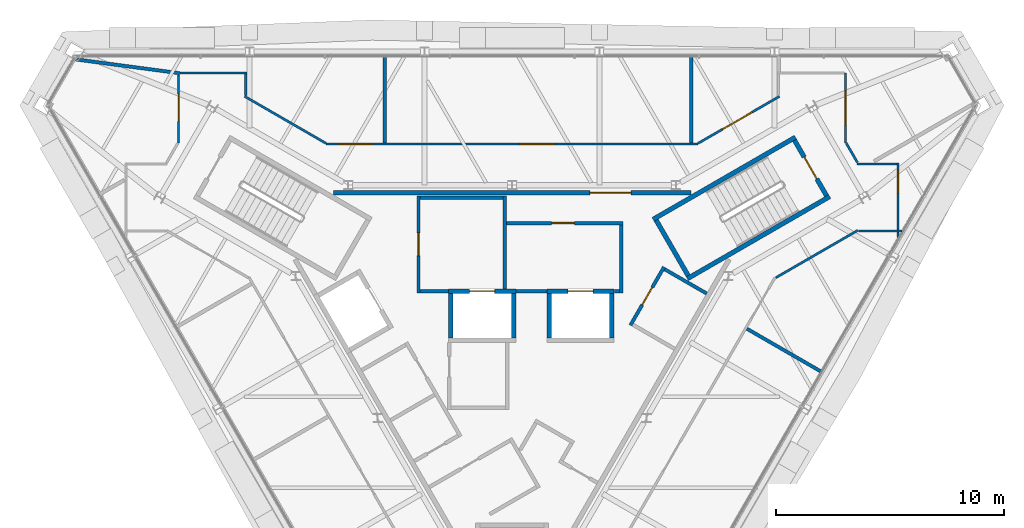
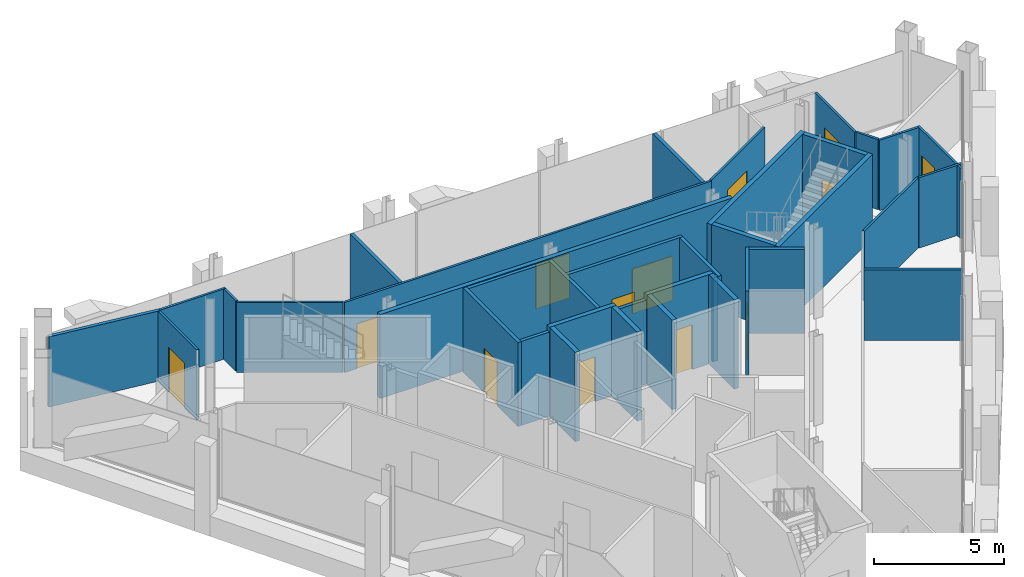
# One storey, part 10 of 13: 37 walls, 13 doors, 13 openings.
"""IFC4 building model written with IfcOpenShell, lengths in metres."""

from ifc_helpers import new_model, si_unit, direction, frame, frame_2d, origin, place, context, subcontext, project, spatial, rectangle, extrude, material, layer, layer_set, type_object, element, fill, save


model = new_model("IFC4")

# Units and contexts
model_context = context("Model", 3, precision=1e-05, world=origin(), true_north=direction((0.0, 1.0)))
body_context = subcontext(model_context, "Body", "Model", "MODEL_VIEW")
ifc_project = project(units=[si_unit("LENGTHUNIT", "METRE"), si_unit("AREAUNIT", "SQUARE_METRE"), si_unit("VOLUMEUNIT", "CUBIC_METRE"), si_unit("PLANEANGLEUNIT", "RADIAN"), si_unit("MASSUNIT", "GRAM", prefix="KILO")], contexts=[model_context])

# Site, building, storey
site_placement = place(None, origin())
site = spatial("IfcSite", under=ifc_project, at=site_placement, CompositionType="ELEMENT")
building_placement = place(site_placement, origin())
building = spatial("IfcBuilding", under=site, at=building_placement, Name="Verrane Prism Tower", CompositionType="ELEMENT")
storey_placement = place(building_placement, frame((0.0, 0.0, 325.199951171875)))
storey = spatial("IfcBuildingStorey", under=building, at=storey_placement, Name="L82", CompositionType="ELEMENT", Elevation=325.199951171875)

# Wall, opening, door
ifc_material_1 = material(Name="Gypsum board partition", Category="other")
ifc_layer_1 = layer(ifc_material_1, 0.199951171875)
ifc_layer_set_1 = layer_set([ifc_layer_1], Name="CW-200 core boundary wall 2 h")
wall_type_1 = type_object("IfcWallType", Name="CW-200 core boundary wall 2 h", PredefinedType="PARTITIONING", material=ifc_layer_set_1)
wall_1_placement = place(storey_placement, frame((7.8291015625, 6.4599609375, 0.0), z_axis=(0.0, 0.0, 1.0), x_axis=(-1.0, 0.0, 0.0)))
wall_1 = element("IfcWall", 1, at=wall_1_placement, inside=storey, type_object=wall_type_1, Name="Core boundary wall CW3-002", PredefinedType="PARTITIONING", context=body_context, shape_type="SweptSolid", body=[
    extrude(rectangle(XDim=15.658203125, YDim=0.199951171875, at=frame_2d((7.8291015625, 0.0))), origin(), (0.0, 0.0, 1.0), 3.949951171875),
])
opening_1_placement = place(wall_1_placement, frame((2.617919921875, 0.0, 0.0)))
opening_1 = element("IfcOpeningElement", 2, at=opening_1_placement, cuts=wall_1, Name="Opening D82506", PredefinedType="OPENING", context=body_context, shape_type="SweptSolid", body=[
    extrude(rectangle(XDim=1.800048828125, YDim=2.10009765625, at=frame_2d((0.89990234375, 1.050048828125))), frame((0.0, 0.10986328125, 0.0), z_axis=(0.0, -1.0, 0.0), x_axis=(1.0, 0.0, 0.0)), (0.0, 0.0, 1.0), 0.219970703125),
])
ifc_material_2 = material(Name="Timber veneered door leaf", Category="wood")
door_type_1 = type_object("IfcDoorType", Name="DR-1800x2100 FD60 double leaf lift lobby", OperationType="NOTDEFINED", PredefinedType="DOOR", material=ifc_material_2)
door_1_placement = place(opening_1_placement, origin())
door_1 = element("IfcDoor", 3, at=door_1_placement, inside=storey, type_object=door_type_1, Name="Lift lobby door D82506", OperationType="DOUBLE_DOOR_SINGLE_SWING", OverallHeight=2.10009765625, OverallWidth=1.800048828125, PredefinedType="DOOR", context=body_context, shape_type="SweptSolid", body=[
    extrude(rectangle(XDim=1.800048828125, YDim=2.10009765625, at=frame_2d((0.89990234375, 1.050048828125))), frame((0.0, 0.02490234375, 0.0), z_axis=(0.0, -1.0, 0.0), x_axis=(1.0, 0.0, 0.0)), (0.0, 0.0, 1.0), 0.050048828125),
])
fill(opening_1, door_1)

ifc_material_3 = material(Name="Concrete C40/50", Category="concrete")
ifc_layer_2 = layer(ifc_material_3, 0.199951171875)
ifc_layer_set_2 = layer_set([ifc_layer_2], Name="CW-200 stair core wall concrete C40/50 3 h")
wall_type_2 = type_object("IfcWallType", Name="CW-200 stair core wall concrete C40/50 3 h", PredefinedType="PARTITIONING", material=ifc_layer_set_2)
wall_2_placement = place(storey_placement, frame((13.777099609375, 6.337646484375, 0.0), z_axis=(0.0, 0.0, 1.0), x_axis=(-0.500049511043, 0.865996816683, 0.0)))
wall_2 = element("IfcWall", 4, at=wall_2_placement, inside=storey, type_object=wall_type_2, Name="Stair 1 enclosure wall", PredefinedType="PARTITIONING", context=body_context, shape_type="SweptSolid", body=[
    extrude(rectangle(XDim=2.800048828125, YDim=0.199951171875, at=frame_2d((1.39990234375, 0.0))), origin(), (0.0, 0.0, 1.0), 3.949951171875),
])
opening_2_placement = place(wall_2_placement, frame((0.849853515625, 0.0, 0.0)))
opening_2 = element("IfcOpeningElement", 5, at=opening_2_placement, cuts=wall_2, Name="Opening D82500", PredefinedType="OPENING", context=body_context, shape_type="SweptSolid", body=[
    extrude(rectangle(XDim=1.10009765625, YDim=2.10009765625, at=frame_2d((0.550048828125, 1.050048828125))), frame((0.0, 0.10986328125, 0.0), z_axis=(0.0, -1.0, 0.0), x_axis=(1.0, 0.0, 0.0)), (0.0, 0.0, 1.0), 0.219970703125),
])
ifc_material_4 = material(Name="Timber veneered door leaf", Category="wood")
door_type_2 = type_object("IfcDoorType", Name="DR-1100x2100 FD90 single leaf stair", OperationType="NOTDEFINED", PredefinedType="DOOR", material=ifc_material_4)
door_2_placement = place(opening_2_placement, origin())
door_2 = element("IfcDoor", 6, at=door_2_placement, inside=storey, type_object=door_type_2, Name="Stair 1 door", OperationType="SINGLE_SWING_LEFT", OverallHeight=2.10009765625, OverallWidth=1.10009765625, PredefinedType="DOOR", context=body_context, shape_type="SweptSolid", body=[
    extrude(rectangle(XDim=1.10009765625, YDim=2.10009765625, at=frame_2d((0.550048828125, 1.050048828125))), frame((0.0, 0.02490234375, 0.0), z_axis=(0.0, -1.0, 0.0), x_axis=(1.0, 0.0, 0.0)), (0.0, 0.0, 1.0), 0.050048828125),
])
fill(opening_2, door_2)

# Walls
for number, where, z_axis, x_axis, name in (
    (7, (6.17822265625, 5.299072265625, 0.0), (0.0, 0.0, 1.0), (0.866033125095, 0.499986626058, 0.0), "Stair 1 enclosure wall"),
    (8, (7.67822265625, 2.700927734375, 0.0), (0.0, 0.0, 1.0), (0.866018442252, 0.500012057535, 0.0), "Stair 1 enclosure wall"),
):
    element("IfcWall", number, at=place(storey_placement, frame(where, z_axis=z_axis, x_axis=x_axis)), inside=storey, type_object=wall_type_2, Name=name, PredefinedType="PARTITIONING", context=body_context, shape_type="SweptSolid", body=[
        extrude(rectangle(XDim=7.199951171875, YDim=0.199951171875, at=frame_2d((3.60009765625, 0.0))), origin(), (0.0, 0.0, 1.0), 3.949951171875),
    ])
wall_3_placement = place(storey_placement, frame((7.71484375, 2.837646484375, 0.0), z_axis=(0.0, 0.0, 1.0), x_axis=(-0.500049511043, 0.865996816683, 0.0)))
element("IfcWall", 9, at=wall_3_placement, inside=storey, type_object=wall_type_2, Name="Stair 1 enclosure wall", PredefinedType="PARTITIONING", context=body_context, shape_type="SweptSolid", body=[
    extrude(rectangle(XDim=2.800048828125, YDim=0.199951171875, at=frame_2d((1.39990234375, 0.0))), origin(), (0.0, 0.0, 1.0), 3.949951171875),
])

# Wall, opening, door
ifc_material_5 = material(Name="Gypsum board shaft wall assembly", Category="other")
ifc_layer_3 = layer(ifc_material_5, 0.199951171875)
ifc_layer_set_3 = layer_set([ifc_layer_3], Name="HW-200 lift shaft wall 2 h")
wall_type_3 = type_object("IfcWallType", Name="HW-200 lift shaft wall 2 h", PredefinedType="PARTITIONING", material=ifc_layer_set_3)
wall_4_placement = place(storey_placement, frame((-2.784912109375, 2.14990234375, 0.0), z_axis=(0.0, 0.0, 1.0), x_axis=(1.0, 0.0, 0.0)))
wall_4 = element("IfcWall", 10, at=wall_4_placement, inside=storey, type_object=wall_type_3, Name="Lift shaft wall", PredefinedType="PARTITIONING", context=body_context, shape_type="SweptSolid", body=[
    extrude(rectangle(XDim=2.949951171875, YDim=0.199951171875, at=frame_2d((1.47509765625, 0.0))), origin(), (0.0, 0.0, 1.0), 4.199951171875),
])
opening_3_placement = place(wall_4_placement, frame((0.925048828125, 0.0, 0.0)))
opening_3 = element("IfcOpeningElement", 11, at=opening_3_placement, cuts=wall_4, Name="Opening D82503", PredefinedType="OPENING", context=body_context, shape_type="SweptSolid", body=[
    extrude(rectangle(XDim=1.10009765625, YDim=2.10009765625, at=frame_2d((0.550048828125, 1.050048828125))), frame((0.0, 0.10986328125, 0.0), z_axis=(0.0, -1.0, 0.0), x_axis=(1.0, 0.0, 0.0)), (0.0, 0.0, 1.0), 0.219970703125),
])
ifc_material_6 = material(Name="Stainless steel sliding landing door", Category="steel")
door_type_3 = type_object("IfcDoorType", Name="LD-1100x2100 lift landing door FD90 sliding", OperationType="NOTDEFINED", PredefinedType="DOOR", material=ifc_material_6)
door_3_placement = place(opening_3_placement, origin())
door_3 = element("IfcDoor", 12, at=door_3_placement, inside=storey, type_object=door_type_3, Name="Fire service lift 1 landing door", OperationType="SLIDING_TO_LEFT", OverallHeight=2.10009765625, OverallWidth=1.10009765625, PredefinedType="DOOR", context=body_context, shape_type="SweptSolid", body=[
    extrude(rectangle(XDim=1.10009765625, YDim=2.10009765625, at=frame_2d((0.550048828125, 1.050048828125))), frame((0.0, 0.02490234375, 0.0), z_axis=(0.0, -1.0, 0.0), x_axis=(1.0, 0.0, 0.0)), (0.0, 0.0, 1.0), 0.050048828125),
])
fill(opening_3, door_3)

wall_5_placement = place(storey_placement, frame((1.52490234375, 2.14990234375, 0.0), z_axis=(0.0, 0.0, 1.0), x_axis=(1.0, 0.0, 0.0)))
wall_5 = element("IfcWall", 13, at=wall_5_placement, inside=storey, type_object=wall_type_3, Name="Lift shaft wall", PredefinedType="PARTITIONING", context=body_context, shape_type="SweptSolid", body=[
    extrude(rectangle(XDim=2.9501953125, YDim=0.199951171875, at=frame_2d((1.47509765625, 0.0))), origin(), (0.0, 0.0, 1.0), 4.199951171875),
])
opening_4_placement = place(wall_5_placement, frame((0.925048828125, 0.0, 0.0)))
opening_4 = element("IfcOpeningElement", 14, at=opening_4_placement, cuts=wall_5, Name="Opening D82504", PredefinedType="OPENING", context=body_context, shape_type="SweptSolid", body=[
    extrude(rectangle(XDim=1.10009765625, YDim=2.10009765625, at=frame_2d((0.550048828125, 1.050048828125))), frame((0.0, 0.10986328125, 0.0), z_axis=(0.0, -1.0, 0.0), x_axis=(1.0, 0.0, 0.0)), (0.0, 0.0, 1.0), 0.219970703125),
])
door_4_placement = place(opening_4_placement, origin())
door_4 = element("IfcDoor", 15, at=door_4_placement, inside=storey, type_object=door_type_3, Name="Fire service lift 2 landing door", OperationType="SLIDING_TO_RIGHT", OverallHeight=2.10009765625, OverallWidth=1.10009765625, PredefinedType="DOOR", context=body_context, shape_type="SweptSolid", body=[
    extrude(rectangle(XDim=1.10009765625, YDim=2.10009765625, at=frame_2d((0.550048828125, 1.050048828125))), frame((0.0, 0.02490234375, 0.0), z_axis=(0.0, -1.0, 0.0), x_axis=(1.0, 0.0, 0.0)), (0.0, 0.0, 1.0), 0.050048828125),
])
fill(opening_4, door_4)

# Walls
for number, where, z_axis, x_axis, name in (
    (16, (4.375, 0.10009765625, 0.0), (0.0, 0.0, 1.0), (0.0, 1.0, 0.0), "Lift shaft wall"),
    (17, (1.625, 0.10009765625, 0.0), (0.0, 0.0, 1.0), (0.0, 1.0, 0.0), "Lift shaft wall"),
    (18, (0.06494140625, 0.10009765625, 0.0), (0.0, 0.0, 1.0), (0.0, 1.0, 0.0), "Lift shaft wall"),
    (19, (-2.68505859375, 0.10009765625, 0.0), (0.0, 0.0, 1.0), (0.0, 1.0, 0.0), "Lift shaft wall"),
):
    element("IfcWall", number, at=place(storey_placement, frame(where, z_axis=z_axis, x_axis=x_axis)), inside=storey, type_object=wall_type_3, Name=name, PredefinedType="PARTITIONING", context=body_context, shape_type="SweptSolid", body=[
        extrude(rectangle(XDim=1.949951171875, YDim=0.199951171875, at=frame_2d((0.97509765625, 0.0))), origin(), (0.0, 0.0, 1.0), 4.199951171875),
    ])

# Wall, opening, door
ifc_material_7 = material(Name="Gypsum board partition", Category="other")
ifc_layer_4 = layer(ifc_material_7, 0.14990234375)
ifc_layer_set_4 = layer_set([ifc_layer_4], Name="LF-150 firefighting lobby wall 1 h")
wall_type_4 = type_object("IfcWallType", Name="LF-150 firefighting lobby wall 1 h", PredefinedType="PARTITIONING", material=ifc_layer_set_4)
wall_6_placement = place(storey_placement, frame((-4.10009765625, 2.0849609375, 0.0), z_axis=(0.0, 0.0, 1.0), x_axis=(0.0, 1.0, 0.0)))
wall_6 = element("IfcWall", 20, at=wall_6_placement, inside=storey, type_object=wall_type_4, Name="Firefighting lobby wall LF1-001", PredefinedType="PARTITIONING", context=body_context, shape_type="SweptSolid", body=[
    extrude(rectangle(XDim=4.22998046875, YDim=0.14990234375, at=frame_2d((2.114990234375, 0.0))), origin(), (0.0, 0.0, 1.0), 3.949951171875),
])
opening_5_placement = place(wall_6_placement, frame((1.625, 0.0, 0.0)))
opening_5 = element("IfcOpeningElement", 21, at=opening_5_placement, cuts=wall_6, Name="Opening D82509", PredefinedType="OPENING", context=body_context, shape_type="SweptSolid", body=[
    extrude(rectangle(XDim=1.0, YDim=2.10009765625, at=frame_2d((0.5, 1.050048828125))), frame((0.0, 0.0849609375, 0.0), z_axis=(0.0, -1.0, 0.0), x_axis=(1.0, 0.0, 0.0)), (0.0, 0.0, 1.0), 0.169921875),
])
ifc_material_8 = material(Name="Timber veneered door leaf", Category="wood")
door_type_4 = type_object("IfcDoorType", Name="DR-1000x2100 FD60 single leaf firefighting lobby", OperationType="NOTDEFINED", PredefinedType="DOOR", material=ifc_material_8)
door_5_placement = place(opening_5_placement, origin())
door_5 = element("IfcDoor", 22, at=door_5_placement, inside=storey, type_object=door_type_4, Name="Firefighting lobby door D82509", OperationType="SINGLE_SWING_LEFT", OverallHeight=2.10009765625, OverallWidth=1.0, PredefinedType="DOOR", context=body_context, shape_type="SweptSolid", body=[
    extrude(rectangle(XDim=1.0, YDim=2.10009765625, at=frame_2d((0.5, 1.050048828125))), frame((0.0, 0.02490234375, 0.0), z_axis=(0.0, -1.0, 0.0), x_axis=(1.0, 0.0, 0.0)), (0.0, 0.0, 1.0), 0.050048828125),
])
fill(opening_5, door_5)

# Walls
wall_7_placement = place(storey_placement, frame((-4.02490234375, 2.159912109375, 0.0), z_axis=(0.0, 0.0, 1.0), x_axis=(1.0, 0.0, 0.0)))
element("IfcWall", 23, at=wall_7_placement, inside=storey, type_object=wall_type_4, Name="Firefighting lobby wall LF1-002", PredefinedType="PARTITIONING", context=body_context, shape_type="SweptSolid", body=[
    extrude(rectangle(XDim=1.23779296875, YDim=0.14990234375, at=frame_2d((0.618896484375, 0.0))), origin(), (0.0, 0.0, 1.0), 3.949951171875),
])
wall_8_placement = place(storey_placement, frame((-4.02490234375, 6.239990234375, 0.0), z_axis=(0.0, 0.0, 1.0), x_axis=(1.0, 0.0, 0.0)))
element("IfcWall", 24, at=wall_8_placement, inside=storey, type_object=wall_type_4, Name="Firefighting lobby wall LF1-003", PredefinedType="PARTITIONING", context=body_context, shape_type="SweptSolid", body=[
    extrude(rectangle(XDim=3.6298828125, YDim=0.14990234375, at=frame_2d((1.81494140625, 0.0))), origin(), (0.0, 0.0, 1.0), 3.949951171875),
])
wall_9_placement = place(storey_placement, frame((-0.320068359375, 2.251953125, 0.0), z_axis=(0.0, 0.0, 1.0), x_axis=(0.0, 1.0, 0.0)))
element("IfcWall", 25, at=wall_9_placement, inside=storey, type_object=wall_type_4, Name="Firefighting lobby wall LF1-004", PredefinedType="PARTITIONING", context=body_context, shape_type="SweptSolid", body=[
    extrude(rectangle(XDim=4.06298828125, YDim=0.14990234375, at=frame_2d((2.031494140625, 0.0))), origin(), (0.0, 0.0, 1.0), 3.949951171875),
])

# Wall, opening, door
wall_10_placement = place(storey_placement, frame((-0.2451171875, 5.139892578125, 0.0), z_axis=(0.0, 0.0, 1.0), x_axis=(1.0, 0.0, 0.0)))
wall_10 = element("IfcWall", 26, at=wall_10_placement, inside=storey, type_object=wall_type_4, Name="Firefighting lobby wall LF1-005", PredefinedType="PARTITIONING", context=body_context, shape_type="SweptSolid", body=[
    extrude(rectangle(XDim=5.110107421875, YDim=0.14990234375, at=frame_2d((2.55517578125, 0.0))), origin(), (0.0, 0.0, 1.0), 3.949951171875),
])
opening_6_placement = place(wall_10_placement, frame((1.97509765625, 0.0, 0.0)))
opening_6 = element("IfcOpeningElement", 27, at=opening_6_placement, cuts=wall_10, Name="Opening D82512", PredefinedType="OPENING", context=body_context, shape_type="SweptSolid", body=[
    extrude(rectangle(XDim=1.0, YDim=2.10009765625, at=frame_2d((0.5, 1.050048828125))), frame((0.0, 0.0849609375, 0.0), z_axis=(0.0, -1.0, 0.0), x_axis=(1.0, 0.0, 0.0)), (0.0, 0.0, 1.0), 0.169921875),
])
door_6_placement = place(opening_6_placement, origin())
door_6 = element("IfcDoor", 28, at=door_6_placement, inside=storey, type_object=door_type_4, Name="Firefighting lobby door D82512", OperationType="SINGLE_SWING_RIGHT", OverallHeight=2.10009765625, OverallWidth=1.0, PredefinedType="DOOR", context=body_context, shape_type="SweptSolid", body=[
    extrude(rectangle(XDim=1.0, YDim=2.10009765625, at=frame_2d((0.5, 1.050048828125))), frame((0.0, 0.02490234375, 0.0), z_axis=(0.0, -1.0, 0.0), x_axis=(1.0, 0.0, 0.0)), (0.0, 0.0, 1.0), 0.050048828125),
])
fill(opening_6, door_6)

# Walls
wall_11_placement = place(storey_placement, frame((0.1669921875, 2.159912109375, 0.0), z_axis=(0.0, 0.0, 1.0), x_axis=(1.0, 0.0, 0.0)))
element("IfcWall", 29, at=wall_11_placement, inside=storey, type_object=wall_type_4, Name="Firefighting lobby wall LF1-006", PredefinedType="PARTITIONING", context=body_context, shape_type="SweptSolid", body=[
    extrude(rectangle(XDim=1.35595703125, YDim=0.14990234375, at=frame_2d((0.677978515625, 0.0))), origin(), (0.0, 0.0, 1.0), 3.949951171875),
])
wall_12_placement = place(storey_placement, frame((4.47705078125, 2.159912109375, 0.0), z_axis=(0.0, 0.0, 1.0), x_axis=(1.0, 0.0, 0.0)))
element("IfcWall", 30, at=wall_12_placement, inside=storey, type_object=wall_type_4, Name="Firefighting lobby wall LF1-007", PredefinedType="PARTITIONING", context=body_context, shape_type="SweptSolid", body=[
    extrude(rectangle(XDim=0.238037109375, YDim=0.14990234375, at=frame_2d((0.119140625, 0.0))), origin(), (0.0, 0.0, 1.0), 3.949951171875),
])
wall_13_placement = place(storey_placement, frame((4.7900390625, 2.0849609375, 0.0), z_axis=(0.0, 0.0, 1.0), x_axis=(0.0, 1.0, 0.0)))
element("IfcWall", 31, at=wall_13_placement, inside=storey, type_object=wall_type_4, Name="Firefighting lobby wall LF1-008", PredefinedType="PARTITIONING", context=body_context, shape_type="SweptSolid", body=[
    extrude(rectangle(XDim=2.97998046875, YDim=0.14990234375, at=frame_2d((1.489990234375, 0.0))), origin(), (0.0, 0.0, 1.0), 3.949951171875),
])

# Wall, opening, door
ifc_material_9 = material(Name="Gypsum board partition", Category="other")
ifc_layer_5 = layer(ifc_material_9, 0.10009765625)
ifc_layer_set_5 = layer_set([ifc_layer_5], Name="PW-100 crown corridor wall 1 h")
wall_type_5 = type_object("IfcWallType", Name="PW-100 crown corridor wall 1 h", PredefinedType="PARTITIONING", material=ifc_layer_set_5)
wall_14_placement = place(storey_placement, frame((-14.60888671875, 8.64599609375, 0.0), z_axis=(0.0, 0.0, 1.0), x_axis=(0.0, 1.0, 0.0)))
wall_14 = element("IfcWall", 32, at=wall_14_placement, inside=storey, type_object=wall_type_5, Name="Corridor wall 008", PredefinedType="PARTITIONING", context=body_context, shape_type="SweptSolid", body=[
    extrude(rectangle(XDim=2.98291015625, YDim=0.10009765625, at=frame_2d((1.491455078125, 0.0))), origin(), (0.0, 0.0, 1.0), 3.297119140625),
])
opening_7_placement = place(wall_14_placement, frame((0.949951171875, 0.0, 0.0)))
opening_7 = element("IfcOpeningElement", 33, at=opening_7_placement, cuts=wall_14, Name="Opening D82004", PredefinedType="OPENING", context=body_context, shape_type="SweptSolid", body=[
    extrude(rectangle(XDim=1.199951171875, YDim=2.10009765625, at=frame_2d((0.60009765625, 1.050048828125))), frame((0.0, 0.06005859375, 0.0), z_axis=(0.0, -1.0, 0.0), x_axis=(1.0, 0.0, 0.0)), (0.0, 0.0, 1.0), 0.1201171875),
])
ifc_material_10 = material(Name="Timber veneered door leaf", Category="wood")
door_type_5 = type_object("IfcDoorType", Name="DR-1200x2100 FD60 single leaf unit", OperationType="NOTDEFINED", PredefinedType="DOOR", material=ifc_material_10)
door_7_placement = place(opening_7_placement, origin())
door_7 = element("IfcDoor", 34, at=door_7_placement, inside=storey, type_object=door_type_5, Name="Building Maintenance Unit Room door", OperationType="SINGLE_SWING_RIGHT", OverallHeight=2.10009765625, OverallWidth=1.199951171875, PredefinedType="DOOR", context=body_context, shape_type="SweptSolid", body=[
    extrude(rectangle(XDim=1.199951171875, YDim=2.10009765625, at=frame_2d((0.60009765625, 1.050048828125))), frame((0.0, 0.02490234375, 0.0), z_axis=(0.0, -1.0, 0.0), x_axis=(1.0, 0.0, 0.0)), (0.0, 0.0, 1.0), 0.050048828125),
])
fill(opening_7, door_7)

# Walls
wall_15_placement = place(storey_placement, frame((-14.549072265625, 11.708984375, 0.0), z_axis=(0.0, 0.0, 1.0), x_axis=(1.0, 0.0, 0.0)))
element("IfcWall", 35, at=wall_15_placement, inside=storey, type_object=wall_type_5, Name="Corridor wall 009", PredefinedType="PARTITIONING", context=body_context, shape_type="SweptSolid", body=[
    extrude(rectangle(XDim=2.927978515625, YDim=0.10009765625, at=frame_2d((1.4638671875, 0.0))), origin(), (0.0, 0.0, 1.0), 3.297119140625),
])
wall_16_placement = place(storey_placement, frame((-11.6708984375, 10.73388671875, 0.0), z_axis=(0.0, 0.0, 1.0), x_axis=(0.0, 1.0, 0.0)))
element("IfcWall", 36, at=wall_16_placement, inside=storey, type_object=wall_type_5, Name="Corridor wall 011", PredefinedType="PARTITIONING", context=body_context, shape_type="SweptSolid", body=[
    extrude(rectangle(XDim=0.925048828125, YDim=0.10009765625, at=frame_2d((0.46240234375, 0.0))), origin(), (0.0, 0.0, 1.0), 3.297119140625),
])
wall_17_placement = place(storey_placement, frame((-11.71435546875, 10.68896484375, 0.0), z_axis=(0.0, 0.0, 1.0), x_axis=(0.866029215606, -0.499993397673, 0.0)))
element("IfcWall", 37, at=wall_17_placement, inside=storey, type_object=wall_type_5, Name="Corridor wall 012", PredefinedType="PARTITIONING", context=body_context, shape_type="SweptSolid", body=[
    extrude(rectangle(XDim=4.10791015625, YDim=0.10009765625, at=frame_2d((2.053955078125, 0.0))), origin(), (0.0, 0.0, 1.0), 3.297119140625),
])

# Wall, openings, doors
wall_18_placement = place(storey_placement, frame((-8.14599609375, 8.60009765625, 0.0), z_axis=(0.0, 0.0, 1.0), x_axis=(1.0, 0.0, 0.0)))
wall_18 = element("IfcWall", 38, at=wall_18_placement, inside=storey, type_object=wall_type_5, Name="Corridor wall 015", PredefinedType="PARTITIONING", context=body_context, shape_type="SweptSolid", body=[
    extrude(rectangle(XDim=16.2919921875, YDim=0.10009765625, at=frame_2d((8.14599609375, 0.0))), origin(), (0.0, 0.0, 1.0), 3.297119140625),
])
opening_8_placement = place(wall_18_placement, frame((8.510986328125, 0.0, 0.0)))
opening_8 = element("IfcOpeningElement", 39, at=opening_8_placement, cuts=wall_18, Name="Opening D82002", PredefinedType="OPENING", context=body_context, shape_type="SweptSolid", body=[
    extrude(rectangle(XDim=1.5, YDim=2.10009765625, at=frame_2d((0.75, 1.050048828125))), frame((0.0, 0.06005859375, 0.0), z_axis=(0.0, -1.0, 0.0), x_axis=(1.0, 0.0, 0.0)), (0.0, 0.0, 1.0), 0.1201171875),
])
opening_9_placement = place(wall_18_placement, frame((0.550048828125, 0.0, 0.0)))
opening_9 = element("IfcOpeningElement", 40, at=opening_9_placement, cuts=wall_18, Name="Opening D82003", PredefinedType="OPENING", context=body_context, shape_type="SweptSolid", body=[
    extrude(rectangle(XDim=1.5, YDim=2.10009765625, at=frame_2d((0.75, 1.050048828125))), frame((0.0, 0.06005859375, 0.0), z_axis=(0.0, -1.0, 0.0), x_axis=(1.0, 0.0, 0.0)), (0.0, 0.0, 1.0), 0.1201171875),
])
ifc_material_11 = material(Name="Timber veneered door leaf", Category="wood")
door_type_6 = type_object("IfcDoorType", Name="DR-1500x2100 FD60 double leaf unit", OperationType="NOTDEFINED", PredefinedType="DOOR", material=ifc_material_11)
door_8_placement = place(opening_8_placement, origin())
door_8 = element("IfcDoor", 41, at=door_8_placement, inside=storey, type_object=door_type_6, Name="Mechanical Plant Room door", OperationType="DOUBLE_DOOR_SINGLE_SWING", OverallHeight=2.10009765625, OverallWidth=1.5, PredefinedType="DOOR", context=body_context, shape_type="SweptSolid", body=[
    extrude(rectangle(XDim=1.5, YDim=2.10009765625, at=frame_2d((0.75, 1.050048828125))), frame((0.0, 0.02490234375, 0.0), z_axis=(0.0, -1.0, 0.0), x_axis=(1.0, 0.0, 0.0)), (0.0, 0.0, 1.0), 0.050048828125),
])
fill(opening_8, door_8)
door_9_placement = place(opening_9_placement, origin())
door_9 = element("IfcDoor", 42, at=door_9_placement, inside=storey, type_object=door_type_6, Name="Mechanical Plant Room door", OperationType="DOUBLE_DOOR_SINGLE_SWING", OverallHeight=2.10009765625, OverallWidth=1.5, PredefinedType="DOOR", context=body_context, shape_type="SweptSolid", body=[
    extrude(rectangle(XDim=1.5, YDim=2.10009765625, at=frame_2d((0.75, 1.050048828125))), frame((0.0, 0.02490234375, 0.0), z_axis=(0.0, -1.0, 0.0), x_axis=(1.0, 0.0, 0.0)), (0.0, 0.0, 1.0), 0.050048828125),
])
fill(opening_9, door_9)

# Wall, opening, door
wall_19_placement = place(storey_placement, frame((8.15673828125, 8.635009765625, 0.0), z_axis=(0.0, 0.0, 1.0), x_axis=(0.866029215606, 0.499993397673, 0.0)))
wall_19 = element("IfcWall", 43, at=wall_19_placement, inside=storey, type_object=wall_type_5, Name="Corridor wall 026", PredefinedType="PARTITIONING", context=body_context, shape_type="SweptSolid", body=[
    extrude(rectangle(XDim=4.10791015625, YDim=0.10009765625, at=frame_2d((2.053955078125, 0.0))), origin(), (0.0, 0.0, 1.0), 3.297119140625),
])
opening_10_placement = place(wall_19_placement, frame((1.22998046875, 0.0, 0.0)))
opening_10 = element("IfcOpeningElement", 44, at=opening_10_placement, cuts=wall_19, Name="Opening D82013", PredefinedType="OPENING", context=body_context, shape_type="SweptSolid", body=[
    extrude(rectangle(XDim=1.5, YDim=2.10009765625, at=frame_2d((0.75, 1.050048828125))), frame((0.0, 0.06005859375, 0.0), z_axis=(0.0, -1.0, 0.0), x_axis=(1.0, 0.0, 0.0)), (0.0, 0.0, 1.0), 0.1201171875),
])
door_10_placement = place(opening_10_placement, origin())
door_10 = element("IfcDoor", 45, at=door_10_placement, inside=storey, type_object=door_type_6, Name="Mechanical Plant Room door", OperationType="DOUBLE_DOOR_SINGLE_SWING", OverallHeight=2.10009765625, OverallWidth=1.5, PredefinedType="DOOR", context=body_context, shape_type="SweptSolid", body=[
    extrude(rectangle(XDim=1.5, YDim=2.10009765625, at=frame_2d((0.75, 1.050048828125))), frame((0.0, 0.02490234375, 0.0), z_axis=(0.0, -1.0, 0.0), x_axis=(1.0, 0.0, 0.0)), (0.0, 0.0, 1.0), 0.050048828125),
])
fill(opening_10, door_10)

# Wall
wall_20_placement = place(storey_placement, frame((11.556640625, 2.74609375, 0.0), z_axis=(0.0, 0.0, 1.0), x_axis=(0.866005840187, 0.500033883614, 0.0)))
element("IfcWall", 46, at=wall_20_placement, inside=storey, type_object=wall_type_5, Name="Corridor wall 028", PredefinedType="PARTITIONING", context=body_context, shape_type="SweptSolid", body=[
    extrude(rectangle(XDim=4.139404296875, YDim=0.10009765625, at=frame_2d((2.06982421875, 0.0))), origin(), (0.0, 0.0, 1.0), 3.297119140625),
])

# Wall, opening, door
wall_21_placement = place(storey_placement, frame((14.60888671875, 11.708984375, 0.0), z_axis=(0.0, 0.0, 1.0), x_axis=(0.0, -1.0, 0.0)))
wall_21 = element("IfcWall", 47, at=wall_21_placement, inside=storey, type_object=wall_type_5, Name="Corridor wall 032", PredefinedType="PARTITIONING", context=body_context, shape_type="SweptSolid", body=[
    extrude(rectangle(XDim=3.06298828125, YDim=0.10009765625, at=frame_2d((1.531494140625, 0.0))), origin(), (0.0, 0.0, 1.0), 3.297119140625),
])
opening_11_placement = place(wall_21_placement, frame((0.762939453125, 0.0, 0.0)))
opening_11 = element("IfcOpeningElement", 48, at=opening_11_placement, cuts=wall_21, Name="Opening D82001", PredefinedType="OPENING", context=body_context, shape_type="SweptSolid", body=[
    extrude(rectangle(XDim=1.5, YDim=2.10009765625, at=frame_2d((0.75, 1.050048828125))), frame((0.0, 0.06005859375, 0.0), z_axis=(0.0, -1.0, 0.0), x_axis=(1.0, 0.0, 0.0)), (0.0, 0.0, 1.0), 0.1201171875),
])
door_11_placement = place(opening_11_placement, origin())
door_11 = element("IfcDoor", 49, at=door_11_placement, inside=storey, type_object=door_type_6, Name="Mechanical Plant Room door", OperationType="DOUBLE_DOOR_SINGLE_SWING", OverallHeight=2.10009765625, OverallWidth=1.5, PredefinedType="DOOR", context=body_context, shape_type="SweptSolid", body=[
    extrude(rectangle(XDim=1.5, YDim=2.10009765625, at=frame_2d((0.75, 1.050048828125))), frame((0.0, 0.02490234375, 0.0), z_axis=(0.0, -1.0, 0.0), x_axis=(1.0, 0.0, 0.0)), (0.0, 0.0, 1.0), 0.050048828125),
])
fill(opening_11, door_11)

# Walls
wall_22_placement = place(storey_placement, frame((14.64404296875, 8.63525390625, 0.0), z_axis=(0.0, 0.0, 1.0), x_axis=(0.499823463829, -0.866127303003, 0.0)))
element("IfcWall", 50, at=wall_22_placement, inside=storey, type_object=wall_type_5, Name="Corridor wall 033", PredefinedType="PARTITIONING", context=body_context, shape_type="SweptSolid", body=[
    extrude(rectangle(XDim=0.976318359375, YDim=0.10009765625, at=frame_2d((0.48828125, 0.0))), origin(), (0.0, 0.0, 1.0), 3.297119140625),
])
wall_23_placement = place(storey_placement, frame((15.16796875, 4.791015625, 0.0), z_axis=(0.0, 0.0, 1.0), x_axis=(1.0, 0.0, 0.0)))
element("IfcWall", 51, at=wall_23_placement, inside=storey, type_object=wall_type_5, Name="Corridor wall 034", PredefinedType="PARTITIONING", context=body_context, shape_type="SweptSolid", body=[
    extrude(rectangle(XDim=1.926025390625, YDim=0.10009765625, at=frame_2d((0.962890625, 0.0))), origin(), (0.0, 0.0, 1.0), 3.297119140625),
])
wall_24_placement = place(storey_placement, frame((15.116943359375, 7.72900390625, 0.0), z_axis=(0.0, 0.0, 1.0), x_axis=(1.0, 0.0, 0.0)))
element("IfcWall", 52, at=wall_24_placement, inside=storey, type_object=wall_type_5, Name="Corridor wall 035", PredefinedType="PARTITIONING", context=body_context, shape_type="SweptSolid", body=[
    extrude(rectangle(XDim=1.741943359375, YDim=0.10009765625, at=frame_2d((0.87109375, 0.0))), origin(), (0.0, 0.0, 1.0), 3.297119140625),
])

# Wall, opening, door
wall_25_placement = place(storey_placement, frame((16.908935546875, 7.779052734375, 0.0), z_axis=(0.0, 0.0, 1.0), x_axis=(0.0, -1.0, 0.0)))
wall_25 = element("IfcWall", 53, at=wall_25_placement, inside=storey, type_object=wall_type_5, Name="Corridor wall 037", PredefinedType="PARTITIONING", context=body_context, shape_type="SweptSolid", body=[
    extrude(rectangle(XDim=3.2724609375, YDim=0.10009765625, at=frame_2d((1.63623046875, 0.0))), origin(), (0.0, 0.0, 1.0), 3.297119140625),
])
opening_12_placement = place(wall_25_placement, frame((0.318115234375, 0.0, 0.0)))
opening_12 = element("IfcOpeningElement", 54, at=opening_12_placement, cuts=wall_25, Name="Opening D82015", PredefinedType="OPENING", context=body_context, shape_type="SweptSolid", body=[
    extrude(rectangle(XDim=1.0, YDim=2.10009765625, at=frame_2d((0.5, 1.050048828125))), frame((0.0, 0.06005859375, 0.0), z_axis=(0.0, -1.0, 0.0), x_axis=(1.0, 0.0, 0.0)), (0.0, 0.0, 1.0), 0.1201171875),
])
ifc_material_12 = material(Name="Timber veneered door leaf", Category="wood")
door_type_7 = type_object("IfcDoorType", Name="DR-1000x2100 FD60 single leaf unit", OperationType="NOTDEFINED", PredefinedType="DOOR", material=ifc_material_12)
door_12_placement = place(opening_12_placement, origin())
door_12 = element("IfcDoor", 55, at=door_12_placement, inside=storey, type_object=door_type_7, Name="Mechanical Plant Room door", OperationType="SINGLE_SWING_LEFT", OverallHeight=2.10009765625, OverallWidth=1.0, PredefinedType="DOOR", context=body_context, shape_type="SweptSolid", body=[
    extrude(rectangle(XDim=1.0, YDim=2.10009765625, at=frame_2d((0.5, 1.050048828125))), frame((0.0, 0.02490234375, 0.0), z_axis=(0.0, -1.0, 0.0), x_axis=(1.0, 0.0, 0.0)), (0.0, 0.0, 1.0), 0.050048828125),
])
fill(opening_12, door_12)

# Walls
ifc_material_13 = material(Name="Gypsum board partition", Category="other")
ifc_layer_6 = layer(ifc_material_13, 0.14990234375)
ifc_layer_set_6 = layer_set([ifc_layer_6], Name="PW-150 demising wall 1 h")
wall_type_6 = type_object("IfcWallType", Name="PW-150 demising wall 1 h", PredefinedType="PARTITIONING", material=ifc_layer_set_6)
wall_26_placement = place(storey_placement, frame((-19.142822265625, 12.3125, 0.0), z_axis=(0.0, 0.0, 1.0), x_axis=(0.991256927963, -0.131945832693, 0.0)))
element("IfcWall", 56, at=wall_26_placement, inside=storey, type_object=wall_type_6, Name="Demising wall 001", PredefinedType="PARTITIONING", context=body_context, shape_type="SweptSolid", body=[
    extrude(rectangle(XDim=4.6240234375, YDim=0.14990234375, at=frame_2d((2.31201171875, 0.0))), origin(), (0.0, 0.0, 1.0), 3.297119140625),
])
for number, where, z_axis, x_axis, name in (
    (57, (-5.5849609375, 8.64990234375, 0.0), (0.0, 0.0, 1.0), (0.0, 1.0, 0.0), "Demising wall 017"),
    (58, (7.85693359375, 8.64990234375, 0.0), (0.0, 0.0, 1.0), (0.0, 1.0, 0.0), "Demising wall 025"),
):
    element("IfcWall", number, at=place(storey_placement, frame(where, z_axis=z_axis, x_axis=x_axis)), inside=storey, type_object=wall_type_6, Name=name, PredefinedType="PARTITIONING", context=body_context, shape_type="SweptSolid", body=[
        extrude(rectangle(XDim=3.783203125, YDim=0.14990234375, at=frame_2d((1.8916015625, 0.0))), origin(), (0.0, 0.0, 1.0), 3.297119140625),
    ])
wall_27_placement = place(storey_placement, frame((10.28759765625, 0.509521484375, 0.0), z_axis=(0.0, 0.0, 1.0), x_axis=(0.865987581393, -0.500065504582, 0.0)))
element("IfcWall", 59, at=wall_27_placement, inside=storey, type_object=wall_type_6, Name="Demising wall 027", PredefinedType="PARTITIONING", context=body_context, shape_type="SweptSolid", body=[
    extrude(rectangle(XDim=3.7783203125, YDim=0.14990234375, at=frame_2d((1.88916015625, 0.0))), origin(), (0.0, 0.0, 1.0), 3.297119140625),
])

# Wall, opening, door
ifc_material_14 = material(Name="Gypsum board partition", Category="other")
ifc_layer_7 = layer(ifc_material_14, 0.14990234375)
ifc_layer_set_7 = layer_set([ifc_layer_7], Name="RS-150 riser enclosure wall 1 h")
wall_type_7 = type_object("IfcWallType", Name="RS-150 riser enclosure wall 1 h", PredefinedType="PARTITIONING", material=ifc_layer_set_7)
wall_28_placement = place(storey_placement, frame((6.660400390625, 3.216064453125, 0.0), z_axis=(0.0, 0.0, 1.0), x_axis=(-0.499939757307, -0.866060182126, 0.0)))
wall_28 = element("IfcWall", 60, at=wall_28_placement, inside=storey, type_object=wall_type_7, Name="Riser wall RS3-015", PredefinedType="PARTITIONING", context=body_context, shape_type="SweptSolid", body=[
    extrude(rectangle(XDim=2.949951171875, YDim=0.14990234375, at=frame_2d((1.47509765625, 0.0))), origin(), (0.0, 0.0, 1.0), 3.949951171875),
])
opening_13_placement = place(wall_28_placement, frame((1.025146484375, 0.0, 0.0)))
opening_13 = element("IfcOpeningElement", 61, at=opening_13_placement, cuts=wall_28, Name="Opening D82514", PredefinedType="OPENING", context=body_context, shape_type="SweptSolid", body=[
    extrude(rectangle(XDim=0.89990234375, YDim=2.10009765625, at=frame_2d((0.449951171875, 1.050048828125))), frame((0.0, 0.0849609375, 0.0), z_axis=(0.0, -1.0, 0.0), x_axis=(1.0, 0.0, 0.0)), (0.0, 0.0, 1.0), 0.169921875),
])
ifc_material_15 = material(Name="Timber veneered door leaf", Category="wood")
door_type_8 = type_object("IfcDoorType", Name="DR-900x2100 FD60 single leaf riser", OperationType="NOTDEFINED", PredefinedType="DOOR", material=ifc_material_15)
door_13_placement = place(opening_13_placement, origin())
door_13 = element("IfcDoor", 62, at=door_13_placement, inside=storey, type_object=door_type_8, Name="Riser door D82514", OperationType="SINGLE_SWING_RIGHT", OverallHeight=2.10009765625, OverallWidth=0.89990234375, PredefinedType="DOOR", context=body_context, shape_type="SweptSolid", body=[
    extrude(rectangle(XDim=0.89990234375, YDim=2.10009765625, at=frame_2d((0.449951171875, 1.050048828125))), frame((0.0, 0.02490234375, 0.0), z_axis=(0.0, -1.0, 0.0), x_axis=(1.0, 0.0, 0.0)), (0.0, 0.0, 1.0), 0.050048828125),
])
fill(opening_13, door_13)

# Wall
wall_29_placement = place(storey_placement, frame((6.68798828125, 3.113525390625, 0.0), z_axis=(0.0, 0.0, 1.0), x_axis=(0.865913749133, -0.500193341681, 0.0)))
element("IfcWall", 63, at=wall_29_placement, inside=storey, type_object=wall_type_7, Name="Riser wall RS3-017", PredefinedType="PARTITIONING", context=body_context, shape_type="SweptSolid", body=[
    extrude(rectangle(XDim=2.124267578125, YDim=0.14990234375, at=frame_2d((1.06201171875, 0.0))), origin(), (0.0, 0.0, 1.0), 3.949951171875),
])

save(model, "model.ifc")
